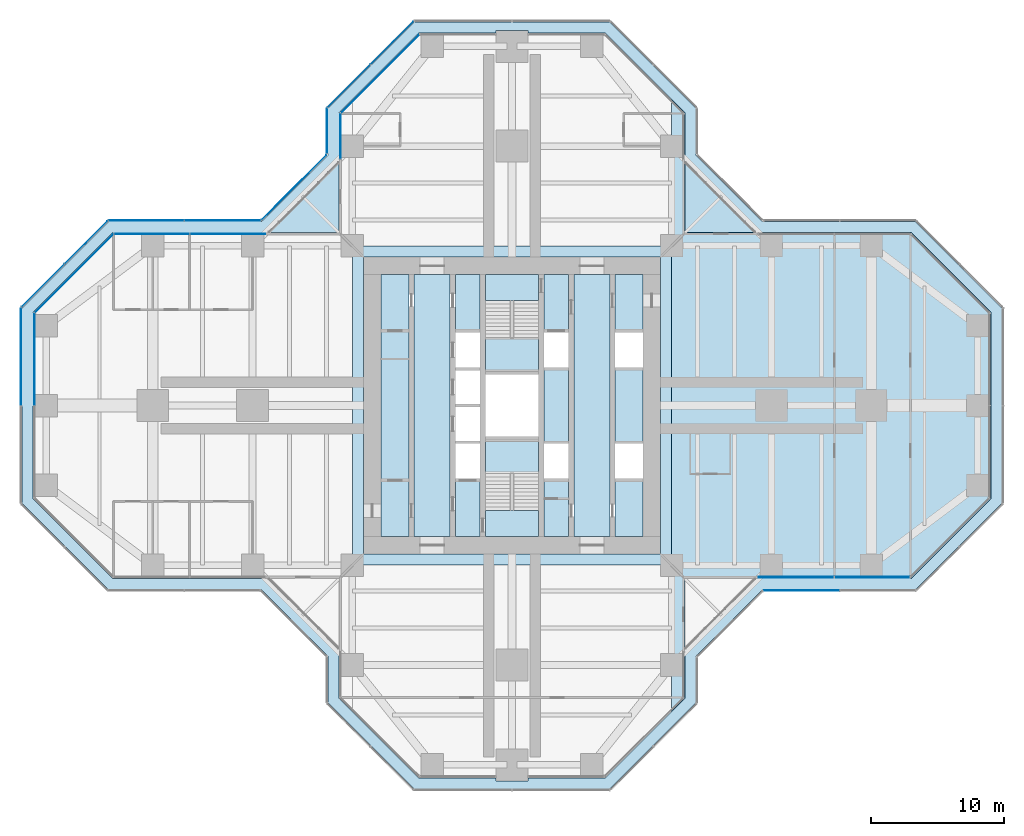
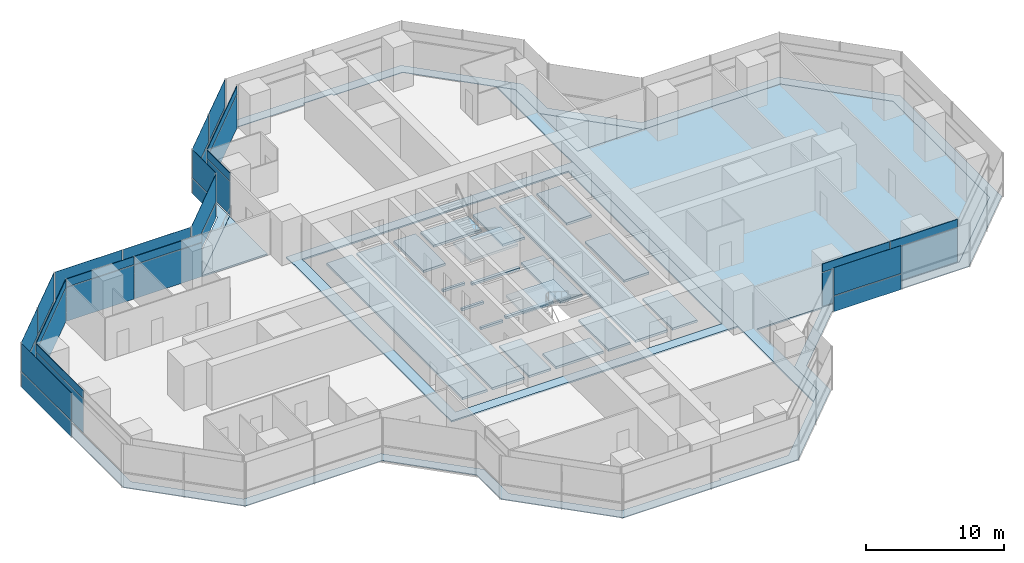
# One storey, part 13 of 20: 37 plates, 9 slabs, 15 elements without a shape of their own.
"""IFC4 building model written with IfcOpenShell, lengths in metres."""

import ifcopenshell
import ifcopenshell.guid

model = None  # the IFC model being written
_history = None  # IfcOwnerHistory: only IFC2X3 demands one
_inside = {}  # id of a spatial element -> (the spatial element, [elements in it])
_under = {}  # id of a project, library or spatial element -> (it, [spatial elements below it])
_declared = {}  # id of a project -> (the project, [libraries it declares])
_typed = {}  # id of a type object -> (the type object, [elements of that type])
_made_of = {}  # id of a material, layer set ... -> (it, [elements and type objects made of it])


def new_model(schema):
    """Start an empty IFC model of exactly this schema.

    Asked for "IFC4X3", IfcOpenShell would pick the latest addendum, in which some entities
    have other attributes; the version numbers below select the first issue.
    IFC2X3 requires an IfcOwnerHistory on every rooted entity: one is made here for all.
    """
    global model, _history
    if schema == "IFC4X3":
        model = ifcopenshell.file(schema_version=(4, 3, 0, 0))
    else:
        model = ifcopenshell.file(schema=schema)
    _inside.clear()
    _under.clear()
    _declared.clear()
    _typed.clear()
    _made_of.clear()
    _history = None
    if model.schema == "IFC2X3":
        org = make("IfcOrganization", Name="unknown")
        user = make(
            "IfcPersonAndOrganization",
            ThePerson=make("IfcPerson", FamilyName="unknown"),
            TheOrganization=org,
        )
        app = make(
            "IfcApplication",
            ApplicationDeveloper=org,
            Version="unknown",
            ApplicationFullName="unknown",
            ApplicationIdentifier="unknown",
        )
        _history = make(
            "IfcOwnerHistory",
            OwningUser=user,
            OwningApplication=app,
            ChangeAction="ADDED",
            CreationDate=0,
        )
    return model


def make(cls, **values):
    """One entity of the class cls with the attributes given. An attribute that is None is left unset."""
    return model.create_entity(
        cls, **{name: value for name, value in values.items() if value is not None}
    )


def rooted(cls, **values):
    """An entity with a GlobalId (a new one), such as an element, a storey or a relation."""
    return make(cls, GlobalId=ifcopenshell.guid.new(), OwnerHistory=_history, **values)


def si_unit(unit_type, name, prefix=None):
    """IfcSIUnit, for example si_unit("LENGTHUNIT", "METRE", prefix="MILLI")."""
    return make("IfcSIUnit", UnitType=unit_type, Prefix=prefix, Name=name)


def assignment(units):
    """IfcUnitAssignment: the units of a project."""
    return None if units is None else make("IfcUnitAssignment", Units=units)


def point(xyz):
    """IfcCartesianPoint."""
    return None if xyz is None else make("IfcCartesianPoint", Coordinates=xyz)


def direction(xyz):
    """IfcDirection."""
    return None if xyz is None else make("IfcDirection", DirectionRatios=xyz)


def frame(location, z_axis=None, x_axis=None):
    """IfcAxis2Placement3D, a coordinate frame: its origin and axes. An axis left out is left unset."""
    return make(
        "IfcAxis2Placement3D",
        Location=point(location),
        Axis=direction(z_axis),
        RefDirection=direction(x_axis),
    )


def frame_2d(location, x_axis=None):
    """IfcAxis2Placement2D, a coordinate frame in the plane: its origin and x axis."""
    return make(
        "IfcAxis2Placement2D", Location=point(location), RefDirection=direction(x_axis)
    )


def origin():
    """The frame at (0, 0, 0) with its axes left unset."""
    return frame((0.0, 0.0, 0.0))


def origin_2d():
    """The frame at (0, 0) in the plane with its x axis left unset."""
    return frame_2d((0.0, 0.0))


def place(relative_to, where):
    """IfcLocalPlacement: puts the frame where relative to a parent placement (None: the world)."""
    return make(
        "IfcLocalPlacement", PlacementRelTo=relative_to, RelativePlacement=where
    )


def context(
    kind, dimensions, precision=None, world=None, true_north=None, identifier=None
):
    """IfcGeometricRepresentationContext, for example the 3D "Model" context."""
    return make(
        "IfcGeometricRepresentationContext",
        ContextIdentifier=identifier,
        ContextType=kind,
        CoordinateSpaceDimension=dimensions,
        Precision=precision,
        WorldCoordinateSystem=world,
        TrueNorth=true_north,
    )


def subcontext(parent, identifier, kind, view, scale=None):
    """IfcGeometricRepresentationSubContext, for example "Body" below "Model"."""
    return make(
        "IfcGeometricRepresentationSubContext",
        ContextIdentifier=identifier,
        ContextType=kind,
        ParentContext=parent,
        TargetScale=scale,
        TargetView=view,
    )


def project(units=None, contexts=None):
    """IfcProject with its units and contexts."""
    return rooted(
        "IfcProject",
        Name="project",
        RepresentationContexts=contexts,
        UnitsInContext=assignment(units),
    )


def spatial(cls, under=None, at=None, **own):
    """A site, building, storey or space (cls), placed at a placement, below another one or the project."""
    s = rooted(cls, ObjectPlacement=at, **own)
    if under is not None:
        _under.setdefault(under.id(), (under, []))[1].append(s)
    return s


def polyline(points):
    """IfcPolyline through the points."""
    return make("IfcPolyline", Points=[point(p) for p in points])


def profile(cls, at=None, kind="AREA", **sizes):
    """A parametric profile (cls). Its sizes go by their IFC names, for example OverallWidth=200.0."""
    return make(cls, ProfileType=kind, Position=at, **sizes)


def rectangle(**sizes):
    """IfcRectangleProfileDef."""
    return profile("IfcRectangleProfileDef", **sizes)


def outline(outer, holes=None, kind="AREA"):
    """IfcArbitraryClosedProfileDef: a profile drawn as a closed curve; with holes, ...WithVoids."""
    if holes is None:
        return make("IfcArbitraryClosedProfileDef", ProfileType=kind, OuterCurve=outer)
    return make(
        "IfcArbitraryProfileDefWithVoids",
        ProfileType=kind,
        OuterCurve=outer,
        InnerCurves=holes,
    )


def extrude(swept, where, along, depth):
    """IfcExtrudedAreaSolid: the profile swept, set in the frame where, extruded along a direction by depth."""
    return make(
        "IfcExtrudedAreaSolid",
        SweptArea=swept,
        Position=where,
        ExtrudedDirection=direction(along),
        Depth=depth,
    )


def shape(context_of_items, identifier, shape_type, items):
    """IfcShapeRepresentation: the items that make up one representation, for example the "Body"."""
    return make(
        "IfcShapeRepresentation",
        ContextOfItems=context_of_items,
        RepresentationIdentifier=identifier,
        RepresentationType=shape_type,
        Items=items,
    )


def material(Name=None, Category=None):
    """IfcMaterial."""
    return make("IfcMaterial", Name=Name, Category=Category)


def layer(
    of_material, thickness, ventilated=None, Name=None, Category=None, Priority=None
):
    """IfcMaterialLayer: one layer of a wall or slab, of a material (None: an air gap)."""
    return make(
        "IfcMaterialLayer",
        Material=of_material,
        LayerThickness=thickness,
        IsVentilated=ventilated,
        Name=Name,
        Category=Category,
        Priority=Priority,
    )


def layer_set(layers, Name=None):
    """IfcMaterialLayerSet."""
    return make("IfcMaterialLayerSet", MaterialLayers=layers, LayerSetName=Name)


def made_of(thing, what):
    """Note that an element or type object is made of a material, layer set ...; save() writes the relation."""
    if what is not None:
        _made_of.setdefault(what.id(), (what, []))[1].append(thing)
    return thing


def type_object(cls, material=None, **own):
    """A type object (cls), such as IfcWallType, which elements share."""
    return made_of(rooted(cls, **own), material)


def element(
    cls,
    number,
    at=None,
    inside=None,
    cuts=None,
    type_object=None,
    material=None,
    context=None,
    identifier="Body",
    shape_type=None,
    held_by="IfcProductDefinitionShape",
    body=None,
    shapes=None,
    **own,
):
    """One element of the class cls, such as IfcWall. Its Tag is "e" and its number.

    at: its placement. inside: the storey or other place that contains it. cuts: it is an
    opening in that element (IfcRelVoidsElement). A single representation is given by context,
    identifier, shape_type and body (its items); several are given by shapes. held_by: the class
    of the entity that holds the representations. save() writes the other relations.
    """
    e = rooted(cls, Tag="e%d" % number, ObjectPlacement=at, **own)
    if body is not None:
        shapes = [shape(context, identifier, shape_type, body)]
    if shapes is not None:
        e.Representation = make(held_by, Representations=shapes)
    if inside is not None:
        _inside.setdefault(inside.id(), (inside, []))[1].append(e)
    if cuts is not None:
        rooted(
            "IfcRelVoidsElement", RelatingBuildingElement=cuts, RelatedOpeningElement=e
        )
    if type_object is not None:
        _typed.setdefault(type_object.id(), (type_object, []))[1].append(e)
    return made_of(e, material)


def aggregate(whole, parts):
    """IfcRelAggregates: a whole, such as a stair, and the parts it consists of."""
    return rooted("IfcRelAggregates", RelatingObject=whole, RelatedObjects=parts)


def save(model, path):
    """Write the relations noted so far, then the file.

    IfcRelAggregates (storeys below a building ...), IfcRelContainedInSpatialStructure (elements
    in a storey), IfcRelDefinesByType, IfcRelAssociatesMaterial and IfcRelDeclares: one each for
    every whole, place, type object, material and project.
    """
    for whole, parts in _under.values():
        aggregate(whole, parts)
    for where, things in _inside.values():
        rooted(
            "IfcRelContainedInSpatialStructure",
            RelatedElements=things,
            RelatingStructure=where,
        )
    for kind, things in _typed.values():
        rooted("IfcRelDefinesByType", RelatedObjects=things, RelatingType=kind)
    for what, things in _made_of.values():
        rooted("IfcRelAssociatesMaterial", RelatedObjects=things, RelatingMaterial=what)
    for by, libraries in _declared.values():
        rooted("IfcRelDeclares", RelatingContext=by, RelatedDefinitions=libraries)
    model.write(path)


model = new_model("IFC4")

# Units and contexts
model_context = context("Model", 3, precision=1e-05, world=origin(), true_north=direction((0.0, 1.0)))
body_context = subcontext(model_context, "Body", "Model", "MODEL_VIEW")
ifc_project = project(units=[si_unit("LENGTHUNIT", "METRE"), si_unit("AREAUNIT", "SQUARE_METRE"), si_unit("VOLUMEUNIT", "CUBIC_METRE"), si_unit("PLANEANGLEUNIT", "RADIAN"), si_unit("MASSUNIT", "GRAM", prefix="KILO")], contexts=[model_context])

# Site, building, storey
site_placement = place(None, origin())
site = spatial("IfcSite", under=ifc_project, at=site_placement, CompositionType="ELEMENT")
building_placement = place(site_placement, origin())
building = spatial("IfcBuilding", under=site, at=building_placement, Name="Mizan Broadcast Tower", CompositionType="ELEMENT")
storey_placement = place(building_placement, frame((0.0, 0.0, 171.0)))
storey = spatial("IfcBuildingStorey", under=building, at=storey_placement, Name="L39", CompositionType="ELEMENT", Elevation=171.0)

# Plate
ifc_material_1 = material(Name="Aluminium grating", Category="aluminium")
ifc_layer_1 = layer(ifc_material_1, 0.050048828125)
ifc_layer_set_1 = layer_set([ifc_layer_1], Name="Aluminium grating")
plate_type_1 = type_object("IfcPlateType", Name="CAVITY GRATING", PredefinedType="USERDEFINED", material=ifc_layer_set_1)
plate_1_placement = place(storey_placement, frame((0.0, 0.0, -0.050048828125)))
element("IfcPlate", 1, at=plate_1_placement, inside=storey, type_object=plate_type_1, Name="Cavity grating L39", ObjectType="GRATING", PredefinedType="USERDEFINED", context=body_context, shape_type="SweptSolid", body=[
    extrude(outline(polyline([(13.820068359375, -18.839599609375), (18.839599609375, -13.820068359375), (30.339599609375, -13.820068359375), (36.820068359375, -7.339599609375), (36.820068359375, 7.339599609375), (30.339599609375, 13.820068359375), (18.839599609375, 13.820068359375), (13.820068359375, 18.839599609375), (13.820068359375, 22.339599609375), (7.339599609375, 28.820068359375), (-7.339599609375, 28.820068359375), (-13.820068359375, 22.339599609375), (-13.820068359375, 18.839599609375), (-18.839599609375, 13.820068359375), (-30.339599609375, 13.820068359375), (-36.820068359375, 7.339599609375), (-36.820068359375, -7.339599609375), (-30.339599609375, -13.820068359375), (-18.839599609375, -13.820068359375), (-13.820068359375, -18.839599609375), (-13.820068359375, -22.339599609375), (-7.339599609375, -28.820068359375), (7.339599609375, -28.820068359375), (13.820068359375, -22.339599609375), (13.820068359375, -18.839599609375)]), holes=[polyline([(36.0, 7.0), (36.0, -7.0), (30.0, -13.0), (18.5, -13.0), (13.0, -18.5), (13.0, -22.0), (7.0, -28.0), (1.199951171875, -28.0), (1.199951171875, -28.199951171875), (-1.199951171875, -28.199951171875), (-1.199951171875, -28.0), (-7.0, -28.0), (-13.0, -22.0), (-13.0, -18.5), (-18.5, -13.0), (-30.0, -13.0), (-36.0, -7.0), (-36.0, 7.0), (-30.0, 13.0), (-18.5, 13.0), (-13.0, 18.5), (-13.0, 22.0), (-7.0, 28.0), (-1.199951171875, 28.0), (-1.199951171875, 28.199951171875), (1.199951171875, 28.199951171875), (1.199951171875, 28.0), (7.0, 28.0), (13.0, 22.0), (13.0, 18.5), (18.5, 13.0), (30.0, 13.0), (36.0, 7.0)])]), origin(), (0.0, 0.0, 1.0), 0.050048828125),
])

# Slabs
ifc_material_2 = material(Name="Concrete C32/40", Category="concrete")
ifc_layer_2 = layer(ifc_material_2, 0.1298828125)
ifc_layer_set_2 = layer_set([ifc_layer_2], Name="Concrete C32/40")
slab_type_1 = type_object("IfcSlabType", Name="COMPOSITE DECK SLAB 130", PredefinedType="FLOOR", material=ifc_layer_set_2)
slab_1_placement = place(storey_placement, frame((0.0, 0.0, -0.1298828125)))
element("IfcSlab", 2, at=slab_1_placement, inside=storey, type_object=slab_type_1, Name="Floor slab L39 centre", PredefinedType="FLOOR", context=body_context, shape_type="SweptSolid", body=[
    extrude(outline(polyline([(-12.0, -12.0), (12.0, -12.0), (12.0, 12.0), (-12.0, 12.0), (-12.0, -12.0)]), holes=[polyline([(-11.14990234375, 11.14990234375), (11.14990234375, 11.14990234375), (11.14990234375, -11.14990234375), (-11.14990234375, -11.14990234375), (-11.14990234375, 11.14990234375)])]), origin(), (0.0, 0.0, 1.0), 0.1298828125),
])
slab_2_placement = place(storey_placement, frame((0.0, 0.0, -0.1298828125)))
element("IfcSlab", 3, at=slab_2_placement, inside=storey, type_object=slab_type_1, Name="Floor slab L39 east arm", PredefinedType="FLOOR", context=body_context, shape_type="SweptSolid", body=[
    extrude(outline(polyline([(12.0, -23.0), (13.0, -22.0), (13.0, -13.0), (30.0, -13.0), (36.0, -7.0), (36.0, 7.0), (30.0, 13.0), (13.0, 13.0), (13.0, 22.0), (12.0, 23.0), (12.0, -23.0)])), origin(), (0.0, 0.0, 1.0), 0.1298828125),
])
ifc_material_3 = material(Name="Concrete C40/50", Category="concrete")
ifc_layer_3 = layer(ifc_material_3, 0.199951171875)
ifc_layer_set_3 = layer_set([ifc_layer_3], Name="Concrete C40/50")
slab_type_2 = type_object("IfcSlabType", Name="CORE FLOOR 200", PredefinedType="FLOOR", material=ifc_layer_set_3)
slab_3_placement = place(storey_placement, frame((0.0, 0.0, -0.199951171875)))
element("IfcSlab", 4, at=slab_3_placement, inside=storey, type_object=slab_type_2, Name="Core floor L39", PredefinedType="FLOOR", context=body_context, shape_type="SweptSolid", body=[
    extrude(outline(polyline([(-9.85009765625, -9.85009765625), (-7.75, -9.85009765625), (-7.75, 9.85009765625), (-9.85009765625, 9.85009765625), (-9.85009765625, -9.85009765625)])), origin(), (0.0, 0.0, 1.0), 0.199951171875),
    extrude(outline(polyline([(-4.64990234375, 9.85009765625), (-7.35009765625, 9.85009765625), (-7.35009765625, -9.85009765625), (-4.64990234375, -9.85009765625), (-4.64990234375, 9.85009765625)])), origin(), (0.0, 0.0, 1.0), 0.199951171875),
    extrude(outline(polyline([(-4.25, -5.5), (-4.25, -9.85009765625), (-2.39990234375, -9.85009765625), (-2.39990234375, -5.5), (-4.25, -5.5)])), origin(), (0.0, 0.0, 1.0), 0.199951171875),
    extrude(outline(polyline([(-4.25, -2.85009765625), (-2.39990234375, -2.85009765625), (-2.39990234375, -2.64990234375), (-4.25, -2.64990234375), (-4.25, -2.85009765625)])), origin(), (0.0, 0.0, 1.0), 0.199951171875),
    extrude(outline(polyline([(-4.25, -0.10009765625), (-2.39990234375, -0.10009765625), (-2.39990234375, 0.10009765625), (-4.25, 0.10009765625), (-4.25, -0.10009765625)])), origin(), (0.0, 0.0, 1.0), 0.199951171875),
    extrude(outline(polyline([(-4.25, 2.64990234375), (-2.39990234375, 2.64990234375), (-2.39990234375, 2.85009765625), (-4.25, 2.85009765625), (-4.25, 2.64990234375)])), origin(), (0.0, 0.0, 1.0), 0.199951171875),
    extrude(outline(polyline([(-4.25, 5.5), (-2.39990234375, 5.5), (-2.39990234375, 9.85009765625), (-4.25, 9.85009765625), (-4.25, 5.5)])), origin(), (0.0, 0.0, 1.0), 0.199951171875),
    extrude(outline(polyline([(2.0, -2.324951171875), (-2.0, -2.324951171875), (-2.0, -2.574951171875), (2.0, -2.574951171875), (2.0, -2.324951171875)])), origin(), (0.0, 0.0, 1.0), 0.199951171875),
    extrude(outline(polyline([(2.0, 2.574951171875), (-2.0, 2.574951171875), (-2.0, 2.324951171875), (2.0, 2.324951171875), (2.0, 2.574951171875)])), origin(), (0.0, 0.0, 1.0), 0.199951171875),
    extrude(outline(polyline([(4.25, -9.85009765625), (4.25, -5.5), (2.39990234375, -5.5), (2.39990234375, -9.85009765625), (4.25, -9.85009765625)])), origin(), (0.0, 0.0, 1.0), 0.199951171875),
    extrude(outline(polyline([(4.25, -2.85009765625), (4.25, 2.85009765625), (2.39990234375, 2.85009765625), (2.39990234375, -2.85009765625), (4.25, -2.85009765625)])), origin(), (0.0, 0.0, 1.0), 0.199951171875),
    extrude(outline(polyline([(4.25, 5.5), (4.25, 9.85009765625), (2.39990234375, 9.85009765625), (2.39990234375, 5.5), (4.25, 5.5)])), origin(), (0.0, 0.0, 1.0), 0.199951171875),
    extrude(outline(polyline([(4.64990234375, 9.85009765625), (4.64990234375, -9.85009765625), (7.35009765625, -9.85009765625), (7.35009765625, 9.85009765625), (4.64990234375, 9.85009765625)])), origin(), (0.0, 0.0, 1.0), 0.199951171875),
    extrude(outline(polyline([(9.85009765625, -9.85009765625), (9.85009765625, -5.5), (7.75, -5.5), (7.75, -9.85009765625), (9.85009765625, -9.85009765625)])), origin(), (0.0, 0.0, 1.0), 0.199951171875),
    extrude(outline(polyline([(7.75, -2.85009765625), (9.85009765625, -2.85009765625), (9.85009765625, 2.85009765625), (7.75, 2.85009765625), (7.75, -2.85009765625)])), origin(), (0.0, 0.0, 1.0), 0.199951171875),
    extrude(outline(polyline([(9.85009765625, 5.5), (9.85009765625, 9.85009765625), (7.75, 9.85009765625), (7.75, 5.5), (9.85009765625, 5.5)])), origin(), (0.0, 0.0, 1.0), 0.199951171875),
])

# Curtain wall, plates
ifc_material_4 = material(Name="Aluminium framed glazing", Category="aluminium")
curtain_wall_type_1 = type_object("IfcCurtainWallType", Name="INNER SKIN MID ZONE", PredefinedType="USERDEFINED", material=ifc_material_4)
curtain_wall_1_placement = place(storey_placement, origin())
curtain_wall_1 = element("IfcCurtainWall", 5, at=curtain_wall_1_placement, inside=storey, type_object=curtain_wall_type_1, Name="Inner skin mid zone L39 E side", ObjectType="INNER SKIN MID ZONE", PredefinedType="USERDEFINED")
ifc_material_5 = material(Name="Double glazing, clear low-e", Category="glass")
ifc_layer_4 = layer(ifc_material_5, 0.028076171875)
ifc_layer_set_4 = layer_set([ifc_layer_4], Name="Double glazing, clear low-e")
plate_type_2 = type_object("IfcPlateType", Name="INNER SKIN GLAZING UNIT", PredefinedType="CURTAIN_PANEL", material=ifc_layer_set_4)
plate_2_placement = place(storey_placement, frame((21.379638671875, -12.89990234375, 0.0), z_axis=(0.0, 0.0, 1.0), x_axis=(1.0, 0.0, 0.0)))
plate_2 = element("IfcPlate", 6, at=plate_2_placement, type_object=plate_type_2, Name="Inner skin mid zone L39 E side panel 1.1", PredefinedType="CURTAIN_PANEL", context=body_context, shape_type="SweptSolid", body=[
    extrude(rectangle(XDim=5.639404296875, YDim=0.028076171875, at=origin_2d()), origin(), (0.0, 0.0, 1.0), 3.0),
])
plate_3_placement = place(storey_placement, frame((27.078857421875, -12.89990234375, 0.0), z_axis=(0.0, 0.0, 1.0), x_axis=(1.0, 0.0, 0.0)))
plate_3 = element("IfcPlate", 7, at=plate_3_placement, type_object=plate_type_2, Name="Inner skin mid zone L39 E side panel 2.1", PredefinedType="CURTAIN_PANEL", context=body_context, shape_type="SweptSolid", body=[
    extrude(rectangle(XDim=5.639404296875, YDim=0.028076171875, at=origin_2d()), origin(), (0.0, 0.0, 1.0), 3.0),
])

# Curtain wall, plate
curtain_wall_2_placement = place(storey_placement, origin())
curtain_wall_2 = element("IfcCurtainWall", 8, at=curtain_wall_2_placement, inside=storey, type_object=curtain_wall_type_1, Name="Inner skin mid zone L39 N chamfer", ObjectType="INNER SKIN MID ZONE", PredefinedType="USERDEFINED")
plate_4_placement = place(storey_placement, frame((-9.92919921875, 24.92919921875, 0.0), z_axis=(0.0, 0.0, 1.0), x_axis=(-0.707106781187, -0.707106781187, 0.0)))
plate_4 = element("IfcPlate", 9, at=plate_4_placement, type_object=plate_type_2, Name="Inner skin mid zone L39 N chamfer panel 1.1", PredefinedType="CURTAIN_PANEL", context=body_context, shape_type="SweptSolid", body=[
    extrude(rectangle(XDim=8.282470703125, YDim=0.028076171875, at=origin_2d()), origin(), (0.0, 0.0, 1.0), 3.0),
])

curtain_wall_3_placement = place(storey_placement, origin())
curtain_wall_3 = element("IfcCurtainWall", 10, at=curtain_wall_3_placement, inside=storey, type_object=curtain_wall_type_1, Name="Inner skin mid zone L39 N side", ObjectType="INNER SKIN MID ZONE", PredefinedType="USERDEFINED")
plate_5_placement = place(storey_placement, frame((-12.89990234375, 20.229248046875, 0.0), z_axis=(0.0, 0.0, 1.0), x_axis=(0.0, -1.0, 0.0)))
plate_5 = element("IfcPlate", 11, at=plate_5_placement, type_object=plate_type_2, Name="Inner skin mid zone L39 N side panel 1.1", PredefinedType="CURTAIN_PANEL", context=body_context, shape_type="SweptSolid", body=[
    extrude(rectangle(XDim=3.338623046875, YDim=0.028076171875, at=origin_2d()), origin(), (0.0, 0.0, 1.0), 3.0),
])

# Curtain wall, plates
curtain_wall_4_placement = place(storey_placement, origin())
curtain_wall_4 = element("IfcCurtainWall", 12, at=curtain_wall_4_placement, inside=storey, type_object=curtain_wall_type_1, Name="Inner skin mid zone L39 W side", ObjectType="INNER SKIN MID ZONE", PredefinedType="USERDEFINED")
plate_6_placement = place(storey_placement, frame((-21.379638671875, 12.89990234375, 0.0), z_axis=(0.0, 0.0, 1.0), x_axis=(-1.0, 0.0, 0.0)))
plate_6 = element("IfcPlate", 13, at=plate_6_placement, type_object=plate_type_2, Name="Inner skin mid zone L39 W side panel 1.1", PredefinedType="CURTAIN_PANEL", context=body_context, shape_type="SweptSolid", body=[
    extrude(rectangle(XDim=5.639404296875, YDim=0.028076171875, at=origin_2d()), origin(), (0.0, 0.0, 1.0), 3.0),
])
plate_7_placement = place(storey_placement, frame((-27.078857421875, 12.89990234375, 0.0), z_axis=(0.0, 0.0, 1.0), x_axis=(-1.0, 0.0, 0.0)))
plate_7 = element("IfcPlate", 14, at=plate_7_placement, type_object=plate_type_2, Name="Inner skin mid zone L39 W side panel 2.1", PredefinedType="CURTAIN_PANEL", context=body_context, shape_type="SweptSolid", body=[
    extrude(rectangle(XDim=5.639404296875, YDim=0.028076171875, at=origin_2d()), origin(), (0.0, 0.0, 1.0), 3.0),
])

# Curtain wall, plate
curtain_wall_5_placement = place(storey_placement, origin())
curtain_wall_5 = element("IfcCurtainWall", 15, at=curtain_wall_5_placement, inside=storey, type_object=curtain_wall_type_1, Name="Inner skin mid zone L39 W chamfer", ObjectType="INNER SKIN MID ZONE", PredefinedType="USERDEFINED")
plate_8_placement = place(storey_placement, frame((-32.92919921875, 9.92919921875, 0.0), z_axis=(0.0, 0.0, 1.0), x_axis=(-0.707106781187, -0.707106781187, 0.0)))
plate_8 = element("IfcPlate", 16, at=plate_8_placement, type_object=plate_type_2, Name="Inner skin mid zone L39 W chamfer panel 1.1", PredefinedType="CURTAIN_PANEL", context=body_context, shape_type="SweptSolid", body=[
    extrude(rectangle(XDim=8.282470703125, YDim=0.028076171875, at=origin_2d()), origin(), (0.0, 0.0, 1.0), 3.0),
])

curtain_wall_6_placement = place(storey_placement, origin())
curtain_wall_6 = element("IfcCurtainWall", 17, at=curtain_wall_6_placement, inside=storey, type_object=curtain_wall_type_1, Name="Inner skin mid zone L39 W end", ObjectType="INNER SKIN MID ZONE", PredefinedType="USERDEFINED")
plate_9_placement = place(storey_placement, frame((-35.89990234375, 3.46435546875, 0.0), z_axis=(0.0, 0.0, 1.0), x_axis=(0.0, -1.0, 0.0)))
plate_9 = element("IfcPlate", 18, at=plate_9_placement, type_object=plate_type_2, Name="Inner skin mid zone L39 W end panel 1.1", PredefinedType="CURTAIN_PANEL", context=body_context, shape_type="SweptSolid", body=[
    extrude(rectangle(XDim=6.86865234375, YDim=0.028076171875, at=origin_2d()), origin(), (0.0, 0.0, 1.0), 3.0),
])

# Plate
ifc_material_6 = material(Name="Insulated aluminium spandrel panel, pale anodised", Category="aluminium")
ifc_layer_5 = layer(ifc_material_6, 0.050048828125)
ifc_layer_set_5 = layer_set([ifc_layer_5], Name="Insulated aluminium spandrel panel, pale anodised")
plate_type_3 = type_object("IfcPlateType", Name="INNER SKIN SPANDREL PANEL", PredefinedType="CURTAIN_PANEL", material=ifc_layer_set_5)
plate_10_placement = place(storey_placement, frame((21.379638671875, -12.89990234375, 3.06005859375), z_axis=(0.0, 0.0, 1.0), x_axis=(1.0, 0.0, 0.0)))
plate_10 = element("IfcPlate", 19, at=plate_10_placement, type_object=plate_type_3, Name="Inner skin mid zone L39 E side panel 1.2", PredefinedType="CURTAIN_PANEL", context=body_context, shape_type="SweptSolid", body=[
    extrude(rectangle(XDim=5.639404296875, YDim=0.050048828125, at=origin_2d()), origin(), (0.0, 0.0, 1.0), 0.7099609375),
])

plate_11_placement = place(storey_placement, frame((27.078857421875, -12.89990234375, 3.06005859375), z_axis=(0.0, 0.0, 1.0), x_axis=(1.0, 0.0, 0.0)))
plate_11 = element("IfcPlate", 20, at=plate_11_placement, type_object=plate_type_3, Name="Inner skin mid zone L39 E side panel 2.2", PredefinedType="CURTAIN_PANEL", context=body_context, shape_type="SweptSolid", body=[
    extrude(rectangle(XDim=5.639404296875, YDim=0.050048828125, at=origin_2d()), origin(), (0.0, 0.0, 1.0), 0.7099609375),
])

aggregate(curtain_wall_1, [plate_2, plate_10, plate_3, plate_11])

plate_12_placement = place(storey_placement, frame((-9.92919921875, 24.92919921875, 3.06005859375), z_axis=(0.0, 0.0, 1.0), x_axis=(-0.707106781187, -0.707106781187, 0.0)))
plate_12 = element("IfcPlate", 21, at=plate_12_placement, type_object=plate_type_3, Name="Inner skin mid zone L39 N chamfer panel 1.2", PredefinedType="CURTAIN_PANEL", context=body_context, shape_type="SweptSolid", body=[
    extrude(rectangle(XDim=8.282470703125, YDim=0.050048828125, at=origin_2d()), origin(), (0.0, 0.0, 1.0), 0.7099609375),
])

aggregate(curtain_wall_2, [plate_4, plate_12])

plate_13_placement = place(storey_placement, frame((-12.89990234375, 20.229248046875, 3.06005859375), z_axis=(0.0, 0.0, 1.0), x_axis=(0.0, -1.0, 0.0)))
plate_13 = element("IfcPlate", 22, at=plate_13_placement, type_object=plate_type_3, Name="Inner skin mid zone L39 N side panel 1.2", PredefinedType="CURTAIN_PANEL", context=body_context, shape_type="SweptSolid", body=[
    extrude(rectangle(XDim=3.338623046875, YDim=0.050048828125, at=origin_2d()), origin(), (0.0, 0.0, 1.0), 0.7099609375),
])

aggregate(curtain_wall_3, [plate_5, plate_13])

plate_14_placement = place(storey_placement, frame((-21.379638671875, 12.89990234375, 3.06005859375), z_axis=(0.0, 0.0, 1.0), x_axis=(-1.0, 0.0, 0.0)))
plate_14 = element("IfcPlate", 23, at=plate_14_placement, type_object=plate_type_3, Name="Inner skin mid zone L39 W side panel 1.2", PredefinedType="CURTAIN_PANEL", context=body_context, shape_type="SweptSolid", body=[
    extrude(rectangle(XDim=5.639404296875, YDim=0.050048828125, at=origin_2d()), origin(), (0.0, 0.0, 1.0), 0.7099609375),
])

plate_15_placement = place(storey_placement, frame((-27.078857421875, 12.89990234375, 3.06005859375), z_axis=(0.0, 0.0, 1.0), x_axis=(-1.0, 0.0, 0.0)))
plate_15 = element("IfcPlate", 24, at=plate_15_placement, type_object=plate_type_3, Name="Inner skin mid zone L39 W side panel 2.2", PredefinedType="CURTAIN_PANEL", context=body_context, shape_type="SweptSolid", body=[
    extrude(rectangle(XDim=5.639404296875, YDim=0.050048828125, at=origin_2d()), origin(), (0.0, 0.0, 1.0), 0.7099609375),
])

aggregate(curtain_wall_4, [plate_6, plate_14, plate_7, plate_15])

plate_16_placement = place(storey_placement, frame((-32.92919921875, 9.92919921875, 3.06005859375), z_axis=(0.0, 0.0, 1.0), x_axis=(-0.707106781187, -0.707106781187, 0.0)))
plate_16 = element("IfcPlate", 25, at=plate_16_placement, type_object=plate_type_3, Name="Inner skin mid zone L39 W chamfer panel 1.2", PredefinedType="CURTAIN_PANEL", context=body_context, shape_type="SweptSolid", body=[
    extrude(rectangle(XDim=8.282470703125, YDim=0.050048828125, at=origin_2d()), origin(), (0.0, 0.0, 1.0), 0.7099609375),
])

aggregate(curtain_wall_5, [plate_8, plate_16])

plate_17_placement = place(storey_placement, frame((-35.89990234375, 3.46435546875, 3.06005859375), z_axis=(0.0, 0.0, 1.0), x_axis=(0.0, -1.0, 0.0)))
plate_17 = element("IfcPlate", 26, at=plate_17_placement, type_object=plate_type_3, Name="Inner skin mid zone L39 W end panel 1.2", PredefinedType="CURTAIN_PANEL", context=body_context, shape_type="SweptSolid", body=[
    extrude(rectangle(XDim=6.86865234375, YDim=0.050048828125, at=origin_2d()), origin(), (0.0, 0.0, 1.0), 0.7099609375),
])

aggregate(curtain_wall_6, [plate_9, plate_17])

# Curtain wall, plates
ifc_material_7 = material(Name="Aluminium framed glazing", Category="aluminium")
curtain_wall_type_2 = type_object("IfcCurtainWallType", Name="OUTER SKIN", PredefinedType="USERDEFINED", material=ifc_material_7)
curtain_wall_7_placement = place(storey_placement, origin())
curtain_wall_7 = element("IfcCurtainWall", 27, at=curtain_wall_7_placement, inside=storey, type_object=curtain_wall_type_2, Name="Outer skin L39 N chamfer", ObjectType="OUTER SKIN", PredefinedType="USERDEFINED")
ifc_material_8 = material(Name="Laminated clear glass", Category="glass")
ifc_layer_6 = layer(ifc_material_8, 0.02001953125)
ifc_layer_set_6 = layer_set([ifc_layer_6], Name="Laminated clear glass")
plate_type_4 = type_object("IfcPlateType", Name="OUTER SKIN CLEAR GLASS", PredefinedType="CURTAIN_PANEL", material=ifc_layer_set_6)
plate_18_placement = place(storey_placement, frame((-9.018798828125, 27.254150390625, 0.0), z_axis=(0.0, 0.0, 1.0), x_axis=(-0.707106781187, -0.707106781187, 0.0)))
plate_18 = element("IfcPlate", 28, at=plate_18_placement, type_object=plate_type_4, Name="Outer skin L39 N chamfer panel 1.1", PredefinedType="CURTAIN_PANEL", context=body_context, shape_type="SweptSolid", body=[
    extrude(rectangle(XDim=4.495361328125, YDim=0.02001953125, at=origin_2d()), origin(), (0.0, 0.0, 1.0), 1.3701171875),
])
plate_19_placement = place(storey_placement, frame((-9.018798828125, 27.254150390625, 1.43017578125), z_axis=(0.0, 0.0, 1.0), x_axis=(-0.707106781187, -0.707106781187, 0.0)))
plate_19 = element("IfcPlate", 29, at=plate_19_placement, type_object=plate_type_4, Name="Outer skin L39 N chamfer panel 1.2", PredefinedType="CURTAIN_PANEL", context=body_context, shape_type="SweptSolid", body=[
    extrude(rectangle(XDim=4.495361328125, YDim=0.02001953125, at=origin_2d()), origin(), (0.0, 0.0, 1.0), 2.469970703125),
])

curtain_wall_8_placement = place(storey_placement, origin())
curtain_wall_8 = element("IfcCurtainWall", 30, at=curtain_wall_8_placement, inside=storey, type_object=curtain_wall_type_2, Name="Outer skin L39 N side", ObjectType="OUTER SKIN", PredefinedType="USERDEFINED")
plate_20_placement = place(storey_placement, frame((-13.89990234375, 20.622802734375, 0.0), z_axis=(0.0, 0.0, 1.0), x_axis=(0.0, -1.0, 0.0)))
plate_20 = element("IfcPlate", 31, at=plate_20_placement, type_object=plate_type_4, Name="Outer skin L39 N side panel 1.1", PredefinedType="CURTAIN_PANEL", context=body_context, shape_type="SweptSolid", body=[
    extrude(rectangle(XDim=3.340087890625, YDim=0.02001953125, at=origin_2d()), origin(), (0.0, 0.0, 1.0), 1.3701171875),
])
plate_21_placement = place(storey_placement, frame((-13.89990234375, 20.622802734375, 1.43017578125), z_axis=(0.0, 0.0, 1.0), x_axis=(0.0, -1.0, 0.0)))
plate_21 = element("IfcPlate", 32, at=plate_21_placement, type_object=plate_type_4, Name="Outer skin L39 N side panel 1.2", PredefinedType="CURTAIN_PANEL", context=body_context, shape_type="SweptSolid", body=[
    extrude(rectangle(XDim=3.340087890625, YDim=0.02001953125, at=origin_2d()), origin(), (0.0, 0.0, 1.0), 2.469970703125),
])
aggregate(curtain_wall_8, [plate_20, plate_21])

curtain_wall_9_placement = place(storey_placement, origin())
curtain_wall_9 = element("IfcCurtainWall", 33, at=curtain_wall_9_placement, inside=storey, type_object=curtain_wall_type_2, Name="Outer skin L39 W chamfer", ObjectType="OUTER SKIN", PredefinedType="USERDEFINED")
plate_22_placement = place(storey_placement, frame((-16.386474609375, 16.386474609375, 0.0), z_axis=(0.0, 0.0, 1.0), x_axis=(-0.707106781187, -0.707106781187, 0.0)))
plate_22 = element("IfcPlate", 34, at=plate_22_placement, type_object=plate_type_4, Name="Outer skin L39 W chamfer panel 1.1", PredefinedType="CURTAIN_PANEL", context=body_context, shape_type="SweptSolid", body=[
    extrude(rectangle(XDim=6.87255859375, YDim=0.02001953125, at=origin_2d()), origin(), (0.0, 0.0, 1.0), 1.3701171875),
])
plate_23_placement = place(storey_placement, frame((-16.386474609375, 16.386474609375, 1.43017578125), z_axis=(0.0, 0.0, 1.0), x_axis=(-0.707106781187, -0.707106781187, 0.0)))
plate_23 = element("IfcPlate", 35, at=plate_23_placement, type_object=plate_type_4, Name="Outer skin L39 W chamfer panel 1.2", PredefinedType="CURTAIN_PANEL", context=body_context, shape_type="SweptSolid", body=[
    extrude(rectangle(XDim=6.87255859375, YDim=0.02001953125, at=origin_2d()), origin(), (0.0, 0.0, 1.0), 2.469970703125),
])
aggregate(curtain_wall_9, [plate_22, plate_23])

curtain_wall_10_placement = place(storey_placement, origin())
curtain_wall_10 = element("IfcCurtainWall", 36, at=curtain_wall_10_placement, inside=storey, type_object=curtain_wall_type_2, Name="Outer skin L39 W side", ObjectType="OUTER SKIN", PredefinedType="USERDEFINED")
plate_24_placement = place(storey_placement, frame((-21.767822265625, 13.89990234375, 0.0), z_axis=(0.0, 0.0, 1.0), x_axis=(-1.0, 0.0, 0.0)))
plate_24 = element("IfcPlate", 37, at=plate_24_placement, type_object=plate_type_4, Name="Outer skin L39 W side panel 1.1", PredefinedType="CURTAIN_PANEL", context=body_context, shape_type="SweptSolid", body=[
    extrude(rectangle(XDim=5.6298828125, YDim=0.02001953125, at=origin_2d()), origin(), (0.0, 0.0, 1.0), 1.3701171875),
])
plate_25_placement = place(storey_placement, frame((-21.767822265625, 13.89990234375, 1.43017578125), z_axis=(0.0, 0.0, 1.0), x_axis=(-1.0, 0.0, 0.0)))
plate_25 = element("IfcPlate", 38, at=plate_25_placement, type_object=plate_type_4, Name="Outer skin L39 W side panel 1.2", PredefinedType="CURTAIN_PANEL", context=body_context, shape_type="SweptSolid", body=[
    extrude(rectangle(XDim=5.6298828125, YDim=0.02001953125, at=origin_2d()), origin(), (0.0, 0.0, 1.0), 2.469970703125),
])
plate_26_placement = place(storey_placement, frame((-27.477783203125, 13.89990234375, 0.0), z_axis=(0.0, 0.0, 1.0), x_axis=(-1.0, 0.0, 0.0)))
plate_26 = element("IfcPlate", 39, at=plate_26_placement, type_object=plate_type_4, Name="Outer skin L39 W side panel 2.1", PredefinedType="CURTAIN_PANEL", context=body_context, shape_type="SweptSolid", body=[
    extrude(rectangle(XDim=5.6298828125, YDim=0.02001953125, at=origin_2d()), origin(), (0.0, 0.0, 1.0), 1.3701171875),
])
plate_27_placement = place(storey_placement, frame((-27.477783203125, 13.89990234375, 1.43017578125), z_axis=(0.0, 0.0, 1.0), x_axis=(-1.0, 0.0, 0.0)))
plate_27 = element("IfcPlate", 40, at=plate_27_placement, type_object=plate_type_4, Name="Outer skin L39 W side panel 2.2", PredefinedType="CURTAIN_PANEL", context=body_context, shape_type="SweptSolid", body=[
    extrude(rectangle(XDim=5.6298828125, YDim=0.02001953125, at=origin_2d()), origin(), (0.0, 0.0, 1.0), 2.469970703125),
])
aggregate(curtain_wall_10, [plate_24, plate_25, plate_26, plate_27])

curtain_wall_11_placement = place(storey_placement, origin())
curtain_wall_11 = element("IfcCurtainWall", 41, at=curtain_wall_11_placement, inside=storey, type_object=curtain_wall_type_2, Name="Outer skin L39 W chamfer", ObjectType="OUTER SKIN", PredefinedType="USERDEFINED")
plate_28_placement = place(storey_placement, frame((-32.018798828125, 12.254150390625, 0.0), z_axis=(0.0, 0.0, 1.0), x_axis=(-0.707106781187, -0.707106781187, 0.0)))
plate_28 = element("IfcPlate", 42, at=plate_28_placement, type_object=plate_type_4, Name="Outer skin L39 W chamfer panel 1.1", PredefinedType="CURTAIN_PANEL", context=body_context, shape_type="SweptSolid", body=[
    extrude(rectangle(XDim=4.495361328125, YDim=0.02001953125, at=origin_2d()), origin(), (0.0, 0.0, 1.0), 1.3701171875),
])
plate_29_placement = place(storey_placement, frame((-32.018798828125, 12.254150390625, 1.43017578125), z_axis=(0.0, 0.0, 1.0), x_axis=(-0.707106781187, -0.707106781187, 0.0)))
plate_29 = element("IfcPlate", 43, at=plate_29_placement, type_object=plate_type_4, Name="Outer skin L39 W chamfer panel 1.2", PredefinedType="CURTAIN_PANEL", context=body_context, shape_type="SweptSolid", body=[
    extrude(rectangle(XDim=4.495361328125, YDim=0.02001953125, at=origin_2d()), origin(), (0.0, 0.0, 1.0), 2.469970703125),
])

curtain_wall_12_placement = place(storey_placement, origin())
curtain_wall_12 = element("IfcCurtainWall", 44, at=curtain_wall_12_placement, inside=storey, type_object=curtain_wall_type_2, Name="Outer skin L39 W end", ObjectType="OUTER SKIN", PredefinedType="USERDEFINED")
plate_30_placement = place(storey_placement, frame((-36.89990234375, 3.66650390625, 0.0), z_axis=(0.0, 0.0, 1.0), x_axis=(0.0, -1.0, 0.0)))
plate_30 = element("IfcPlate", 45, at=plate_30_placement, type_object=plate_type_4, Name="Outer skin L39 W end panel 1.1", PredefinedType="CURTAIN_PANEL", context=body_context, shape_type="SweptSolid", body=[
    extrude(rectangle(XDim=7.252685546875, YDim=0.02001953125, at=origin_2d()), origin(), (0.0, 0.0, 1.0), 1.3701171875),
])
plate_31_placement = place(storey_placement, frame((-36.89990234375, 3.66650390625, 1.43017578125), z_axis=(0.0, 0.0, 1.0), x_axis=(0.0, -1.0, 0.0)))
plate_31 = element("IfcPlate", 46, at=plate_31_placement, type_object=plate_type_4, Name="Outer skin L39 W end panel 1.2", PredefinedType="CURTAIN_PANEL", context=body_context, shape_type="SweptSolid", body=[
    extrude(rectangle(XDim=7.252685546875, YDim=0.02001953125, at=origin_2d()), origin(), (0.0, 0.0, 1.0), 2.469970703125),
])
aggregate(curtain_wall_12, [plate_30, plate_31])

curtain_wall_13_placement = place(storey_placement, origin())
curtain_wall_13 = element("IfcCurtainWall", 47, at=curtain_wall_13_placement, inside=storey, type_object=curtain_wall_type_2, Name="Outer skin L39 E side", ObjectType="OUTER SKIN", PredefinedType="USERDEFINED")
plate_32_placement = place(storey_placement, frame((21.767822265625, -13.89990234375, 0.0), z_axis=(0.0, 0.0, 1.0), x_axis=(1.0, 0.0, 0.0)))
plate_32 = element("IfcPlate", 48, at=plate_32_placement, type_object=plate_type_4, Name="Outer skin L39 E side panel 1.1", PredefinedType="CURTAIN_PANEL", context=body_context, shape_type="SweptSolid", body=[
    extrude(rectangle(XDim=5.6298828125, YDim=0.02001953125, at=origin_2d()), origin(), (0.0, 0.0, 1.0), 1.3701171875),
])
plate_33_placement = place(storey_placement, frame((21.767822265625, -13.89990234375, 1.43017578125), z_axis=(0.0, 0.0, 1.0), x_axis=(1.0, 0.0, 0.0)))
plate_33 = element("IfcPlate", 49, at=plate_33_placement, type_object=plate_type_4, Name="Outer skin L39 E side panel 1.2", PredefinedType="CURTAIN_PANEL", context=body_context, shape_type="SweptSolid", body=[
    extrude(rectangle(XDim=5.6298828125, YDim=0.02001953125, at=origin_2d()), origin(), (0.0, 0.0, 1.0), 2.469970703125),
])
aggregate(curtain_wall_13, [plate_32, plate_33])

# Plate
ifc_material_9 = material(Name="Perforated aluminium, pale anodised", Category="aluminium")
ifc_layer_7 = layer(ifc_material_9, 0.011962890625)
ifc_layer_set_7 = layer_set([ifc_layer_7], Name="Perforated aluminium, pale anodised")
plate_type_5 = type_object("IfcPlateType", Name="OUTER SKIN PERFORATED SCREEN", PredefinedType="USERDEFINED", material=ifc_layer_set_7)
plate_34_placement = place(storey_placement, frame((-12.254150390625, 24.018798828125, 0.0), z_axis=(0.0, 0.0, 1.0), x_axis=(-0.707106781187, -0.707106781187, 0.0)))
plate_34 = element("IfcPlate", 50, at=plate_34_placement, type_object=plate_type_5, Name="Outer skin L39 N chamfer panel 2.1", ObjectType="SCREEN", PredefinedType="USERDEFINED", context=body_context, shape_type="SweptSolid", body=[
    extrude(rectangle(XDim=4.495361328125, YDim=0.011962890625, at=origin_2d()), origin(), (0.0, 0.0, 1.0), 1.3701171875),
])

plate_35_placement = place(storey_placement, frame((-12.254150390625, 24.018798828125, 1.43017578125), z_axis=(0.0, 0.0, 1.0), x_axis=(-0.707106781187, -0.707106781187, 0.0)))
plate_35 = element("IfcPlate", 51, at=plate_35_placement, type_object=plate_type_5, Name="Outer skin L39 N chamfer panel 2.2", ObjectType="SCREEN", PredefinedType="USERDEFINED", context=body_context, shape_type="SweptSolid", body=[
    extrude(rectangle(XDim=4.495361328125, YDim=0.011962890625, at=origin_2d()), origin(), (0.0, 0.0, 1.0), 2.469970703125),
])

aggregate(curtain_wall_7, [plate_18, plate_19, plate_34, plate_35])

plate_36_placement = place(storey_placement, frame((-35.254150390625, 9.018798828125, 0.0), z_axis=(0.0, 0.0, 1.0), x_axis=(-0.707106781187, -0.707106781187, 0.0)))
plate_36 = element("IfcPlate", 52, at=plate_36_placement, type_object=plate_type_5, Name="Outer skin L39 W chamfer panel 2.1", ObjectType="SCREEN", PredefinedType="USERDEFINED", context=body_context, shape_type="SweptSolid", body=[
    extrude(rectangle(XDim=4.495361328125, YDim=0.011962890625, at=origin_2d()), origin(), (0.0, 0.0, 1.0), 1.3701171875),
])

plate_37_placement = place(storey_placement, frame((-35.254150390625, 9.018798828125, 1.43017578125), z_axis=(0.0, 0.0, 1.0), x_axis=(-0.707106781187, -0.707106781187, 0.0)))
plate_37 = element("IfcPlate", 53, at=plate_37_placement, type_object=plate_type_5, Name="Outer skin L39 W chamfer panel 2.2", ObjectType="SCREEN", PredefinedType="USERDEFINED", context=body_context, shape_type="SweptSolid", body=[
    extrude(rectangle(XDim=4.495361328125, YDim=0.011962890625, at=origin_2d()), origin(), (0.0, 0.0, 1.0), 2.469970703125),
])

aggregate(curtain_wall_11, [plate_28, plate_29, plate_36, plate_37])

# Stair, slabs
ifc_material_10 = material(Name="Concrete C40/50", Category="concrete")
stair_type = type_object("IfcStairType", Name="EXIT STAIR", PredefinedType="HALF_TURN_STAIR", material=ifc_material_10)
stair_1_placement = place(storey_placement, origin())
stair_1 = element("IfcStair", 54, at=stair_1_placement, inside=storey, type_object=stair_type, Name="Stair A L39", PredefinedType="HALF_TURN_STAIR")
ifc_material_11 = material(Name="Concrete C40/50", Category="concrete")
ifc_layer_8 = layer(ifc_material_11, 0.199951171875)
ifc_layer_set_8 = layer_set([ifc_layer_8], Name="Concrete C40/50")
slab_type_3 = type_object("IfcSlabType", Name="STAIR LANDING 200", PredefinedType="LANDING", material=ifc_layer_set_8)
slab_4_placement = place(storey_placement, frame((0.0, 0.0, -0.199951171875)))
slab_4 = element("IfcSlab", 55, at=slab_4_placement, type_object=slab_type_3, Name="A landing 1", PredefinedType="LANDING", context=body_context, shape_type="SweptSolid", body=[
    extrude(outline(polyline([(-2.0, -9.85009765625), (-2.0, -7.89990234375), (2.0, -7.89990234375), (2.0, -9.85009765625), (-2.0, -9.85009765625)])), origin(), (0.0, 0.0, 1.0), 0.199951171875),
])
slab_5_placement = place(storey_placement, frame((0.0, 0.0, 1.75)))
slab_5 = element("IfcSlab", 56, at=slab_5_placement, type_object=slab_type_3, Name="A landing 2", PredefinedType="LANDING", context=body_context, shape_type="SweptSolid", body=[
    extrude(outline(polyline([(-2.0, -5.10009765625), (-2.0, -2.574951171875), (2.0, -2.574951171875), (2.0, -5.10009765625), (-2.0, -5.10009765625)])), origin(), (0.0, 0.0, 1.0), 0.199951171875),
])
aggregate(stair_1, [slab_4, slab_5])

stair_2_placement = place(storey_placement, origin())
stair_2 = element("IfcStair", 57, at=stair_2_placement, inside=storey, type_object=stair_type, Name="Stair B L39", PredefinedType="HALF_TURN_STAIR")
slab_6_placement = place(storey_placement, frame((0.0, 0.0, -0.199951171875)))
slab_6 = element("IfcSlab", 58, at=slab_6_placement, type_object=slab_type_3, Name="B landing 1", PredefinedType="LANDING", context=body_context, shape_type="SweptSolid", body=[
    extrude(outline(polyline([(2.0, 9.85009765625), (2.0, 7.89990234375), (-2.0, 7.89990234375), (-2.0, 9.85009765625), (2.0, 9.85009765625)])), origin(), (0.0, 0.0, 1.0), 0.199951171875),
])
slab_7_placement = place(storey_placement, frame((0.0, 0.0, 1.75)))
slab_7 = element("IfcSlab", 59, at=slab_7_placement, type_object=slab_type_3, Name="B landing 2", PredefinedType="LANDING", context=body_context, shape_type="SweptSolid", body=[
    extrude(outline(polyline([(2.0, 5.10009765625), (2.0, 2.574951171875), (-2.0, 2.574951171875), (-2.0, 5.10009765625), (2.0, 5.10009765625)])), origin(), (0.0, 0.0, 1.0), 0.199951171875),
])
aggregate(stair_2, [slab_6, slab_7])

# Slabs
ifc_material_12 = material(Name="Concrete C32/40", Category="concrete")
ifc_layer_9 = layer(ifc_material_12, 0.1298828125)
ifc_layer_set_9 = layer_set([ifc_layer_9], Name="Concrete C32/40")
slab_type_4 = type_object("IfcSlabType", Name="WINTER GARDEN SLAB 130", PredefinedType="FLOOR", material=ifc_layer_set_9)
slab_8_placement = place(storey_placement, frame((0.0, 0.0, -0.1298828125)))
element("IfcSlab", 60, at=slab_8_placement, inside=storey, type_object=slab_type_4, Name="Winter garden slab L39 E", PredefinedType="FLOOR", context=body_context, shape_type="SweptSolid", body=[
    extrude(outline(polyline([(13.0, 13.0), (18.5, 13.0), (13.0, 18.5), (13.0, 13.0)])), origin(), (0.0, 0.0, 1.0), 0.1298828125),
])
slab_9_placement = place(storey_placement, frame((0.0, 0.0, -0.1298828125)))
element("IfcSlab", 61, at=slab_9_placement, inside=storey, type_object=slab_type_4, Name="Winter garden slab L39 N", PredefinedType="FLOOR", context=body_context, shape_type="SweptSolid", body=[
    extrude(outline(polyline([(-13.0, 13.0), (-13.0, 18.5), (-18.5, 13.0), (-13.0, 13.0)])), origin(), (0.0, 0.0, 1.0), 0.1298828125),
])

save(model, "model.ifc")
